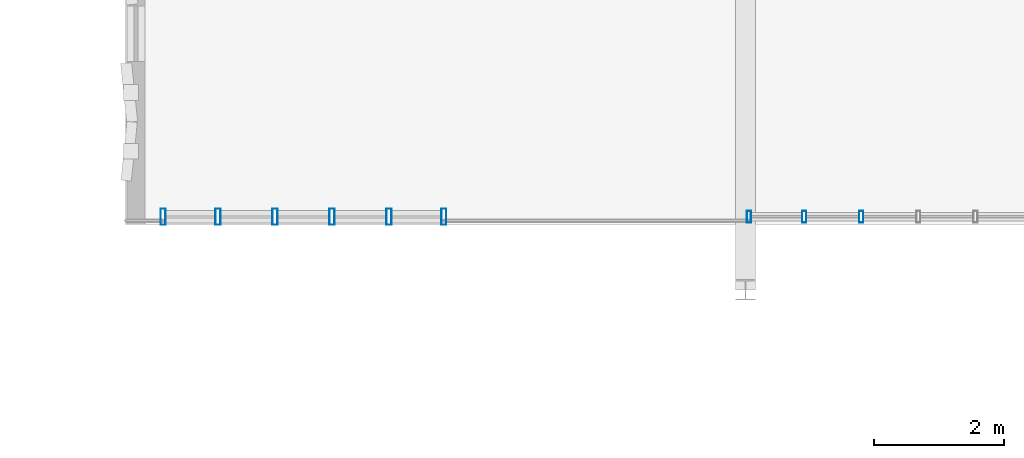
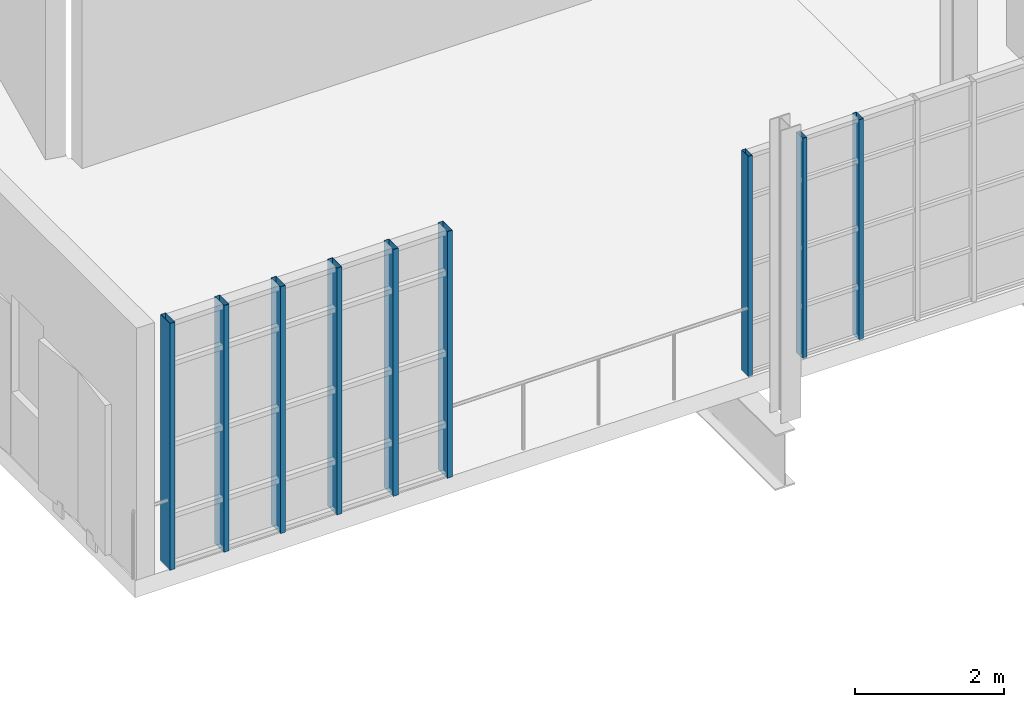
# One storey, part 28 of 118: 9 members, 2 elements without a shape of their own.
"""IFC4 building model written with IfcOpenShell, lengths in metres."""

from ifc_helpers import new_model, si_unit, direction, frame, origin, origin_2d, place, context, subcontext, project, spatial, hollow_rectangle, extrude, material, layer, layer_set, material_profile, profile_set, type_object, element, aggregate, save


model = new_model("IFC4")

# Units and contexts
model_context = context("Model", 3, precision=1e-05, world=origin(), true_north=direction((0.0, 1.0)))
body_context = subcontext(model_context, "Body", "Model", "MODEL_VIEW")
ifc_project = project(units=[si_unit("LENGTHUNIT", "METRE"), si_unit("AREAUNIT", "SQUARE_METRE"), si_unit("VOLUMEUNIT", "CUBIC_METRE"), si_unit("PLANEANGLEUNIT", "RADIAN"), si_unit("MASSUNIT", "GRAM", prefix="KILO"), si_unit("THERMODYNAMICTEMPERATUREUNIT", "KELVIN"), si_unit("POWERUNIT", "WATT")], contexts=[model_context])

# Site, building, storey
site_placement = place(None, origin())
site = spatial("IfcSite", under=ifc_project, at=site_placement, CompositionType="ELEMENT")
building_placement = place(site_placement, origin())
building = spatial("IfcBuilding", under=site, at=building_placement, Name="Zelmaris Science Centre", CompositionType="ELEMENT")
storey_placement = place(building_placement, frame((0.0, 0.0, 15.60009765625)))
storey = spatial("IfcBuildingStorey", under=building, at=storey_placement, Name="L03", CompositionType="ELEMENT", Elevation=15.60009765625)

# Curtain wall, members
ifc_material = material(Name="Anodised architectural aluminium 6063-T6", Category="aluminium")
ifc_layer_1 = layer(ifc_material, 0.2099609375, Name="Anodised architectural aluminium 6063-T6")
ifc_layer_set_1 = layer_set([ifc_layer_1], Name="Anodised architectural aluminium 6063-T6")
curtain_wall_type_1 = type_object("IfcCurtainWallType", Name="Curtain Wall CW-03", PredefinedType="USERDEFINED", material=ifc_layer_set_1)
curtain_wall_1_placement = place(storey_placement, origin())
curtain_wall_1 = element("IfcCurtainWall", 1, at=curtain_wall_1_placement, inside=storey, type_object=curtain_wall_type_1, Name="L03 Unitised curtain wall 311", ObjectType="GLAZED CURTAIN WALL", PredefinedType="USERDEFINED")
ifc_material_profile_1 = material_profile(ifc_material, hollow_rectangle(XDim=0.06494140625, YDim=0.179931640625, WallThickness=0.00390625, at=origin_2d()), Name="ALU-MUL-65X180")
ifc_profile_set_1 = profile_set([ifc_material_profile_1], Name="Anodised architectural aluminium 6063-T6")
member_type_1 = type_object("IfcMemberType", Name="ALU-MUL-65X180", PredefinedType="MULLION", material=ifc_profile_set_1)
member_1_placement = place(storey_placement, frame((104.776123046875, 21.1201171875, -0.01513671875), z_axis=(0.0, 0.0, 1.0), x_axis=(-0.999999999986, 5.235988e-06, 0.0)))
member_1 = element("IfcMember", 2, at=member_1_placement, type_object=member_type_1, Name="CW-03 mullion 4", PredefinedType="MULLION", context=body_context, shape_type="SweptSolid", body=[
    extrude(hollow_rectangle(XDim=0.06494140625, YDim=0.179931640625, WallThickness=0.00390625, at=origin_2d()), origin(), (0.0, 0.0, 1.0), 3.615966796875),
])
member_2_placement = place(storey_placement, frame((103.9013671875, 21.1201171875, -0.01513671875), z_axis=(0.0, 0.0, 1.0), x_axis=(-0.999999999986, 5.235988e-06, 0.0)))
member_2 = element("IfcMember", 3, at=member_2_placement, type_object=member_type_1, Name="CW-03 mullion 5", PredefinedType="MULLION", context=body_context, shape_type="SweptSolid", body=[
    extrude(hollow_rectangle(XDim=0.06494140625, YDim=0.179931640625, WallThickness=0.00390625, at=origin_2d()), origin(), (0.0, 0.0, 1.0), 3.615966796875),
])
member_3_placement = place(storey_placement, frame((103.05517578125, 21.1201171875, -0.01513671875), z_axis=(0.0, 0.0, 1.0), x_axis=(-0.999999999986, 5.235988e-06, 0.0)))
member_3 = element("IfcMember", 4, at=member_3_placement, type_object=member_type_1, Name="CW-03 mullion 6", PredefinedType="MULLION", context=body_context, shape_type="SweptSolid", body=[
    extrude(hollow_rectangle(XDim=0.06494140625, YDim=0.179931640625, WallThickness=0.00390625, at=origin_2d()), origin(), (0.0, 0.0, 1.0), 3.615966796875),
])
aggregate(curtain_wall_1, [member_1, member_2, member_3])

ifc_layer_2 = layer(ifc_material, 0.18994140625, Name="Anodised architectural aluminium 6063-T6")
ifc_layer_set_2 = layer_set([ifc_layer_2], Name="Anodised architectural aluminium 6063-T6")
curtain_wall_type_2 = type_object("IfcCurtainWallType", Name="Curtain Wall CW-01", PredefinedType="USERDEFINED", material=ifc_layer_set_2)
curtain_wall_2_placement = place(storey_placement, origin())
curtain_wall_2 = element("IfcCurtainWall", 5, at=curtain_wall_2_placement, inside=storey, type_object=curtain_wall_type_2, Name="L03 Unitised curtain wall 313", ObjectType="GLAZED CURTAIN WALL", PredefinedType="USERDEFINED")
ifc_material_profile_2 = material_profile(ifc_material, hollow_rectangle(XDim=0.080078125, YDim=0.25, WallThickness=0.0048828125, at=origin_2d()), Name="ALU-MUL-80X250")
ifc_profile_set_2 = profile_set([ifc_material_profile_2], Name="Anodised architectural aluminium 6063-T6")
member_type_2 = type_object("IfcMemberType", Name="ALU-MUL-80X250", PredefinedType="MULLION", material=ifc_profile_set_2)
member_4_placement = place(storey_placement, frame((98.37744140625, 21.1201171875, -0.01513671875), z_axis=(0.0, 0.0, 1.0), x_axis=(-0.999999999986, 5.235988e-06, 0.0)))
member_4 = element("IfcMember", 6, at=member_4_placement, type_object=member_type_2, Name="CW-01 mullion 1", PredefinedType="MULLION", context=body_context, shape_type="SweptSolid", body=[
    extrude(hollow_rectangle(XDim=0.080078125, YDim=0.25, WallThickness=0.0048828125, at=origin_2d()), origin(), (0.0, 0.0, 1.0), 4.044921875),
])
member_5_placement = place(storey_placement, frame((97.538818359375, 21.1201171875, -0.01513671875), z_axis=(0.0, 0.0, 1.0), x_axis=(-0.999999999986, 5.235988e-06, 0.0)))
member_5 = element("IfcMember", 7, at=member_5_placement, type_object=member_type_2, Name="CW-01 mullion 2", PredefinedType="MULLION", context=body_context, shape_type="SweptSolid", body=[
    extrude(hollow_rectangle(XDim=0.080078125, YDim=0.25, WallThickness=0.0048828125, at=origin_2d()), origin(), (0.0, 0.0, 1.0), 4.044921875),
])
member_6_placement = place(storey_placement, frame((96.6640625, 21.1201171875, -0.01513671875), z_axis=(0.0, 0.0, 1.0), x_axis=(-0.999999999986, 5.235988e-06, 0.0)))
member_6 = element("IfcMember", 8, at=member_6_placement, type_object=member_type_2, Name="CW-01 mullion 3", PredefinedType="MULLION", context=body_context, shape_type="SweptSolid", body=[
    extrude(hollow_rectangle(XDim=0.080078125, YDim=0.25, WallThickness=0.0048828125, at=origin_2d()), origin(), (0.0, 0.0, 1.0), 4.044921875),
])
member_7_placement = place(storey_placement, frame((95.789306640625, 21.1201171875, -0.01513671875), z_axis=(0.0, 0.0, 1.0), x_axis=(-0.999999999986, 5.235988e-06, 0.0)))
member_7 = element("IfcMember", 9, at=member_7_placement, type_object=member_type_2, Name="CW-01 mullion 4", PredefinedType="MULLION", context=body_context, shape_type="SweptSolid", body=[
    extrude(hollow_rectangle(XDim=0.080078125, YDim=0.25, WallThickness=0.0048828125, at=origin_2d()), origin(), (0.0, 0.0, 1.0), 4.044921875),
])
member_8_placement = place(storey_placement, frame((94.914794921875, 21.1201171875, -0.01513671875), z_axis=(0.0, 0.0, 1.0), x_axis=(-0.999999999986, 5.235988e-06, 0.0)))
member_8 = element("IfcMember", 10, at=member_8_placement, type_object=member_type_2, Name="CW-01 mullion 5", PredefinedType="MULLION", context=body_context, shape_type="SweptSolid", body=[
    extrude(hollow_rectangle(XDim=0.080078125, YDim=0.25, WallThickness=0.0048828125, at=origin_2d()), origin(), (0.0, 0.0, 1.0), 4.044921875),
])
member_9_placement = place(storey_placement, frame((94.076171875, 21.1201171875, -0.01513671875), z_axis=(0.0, 0.0, 1.0), x_axis=(-0.999999999986, 5.235988e-06, 0.0)))
member_9 = element("IfcMember", 11, at=member_9_placement, type_object=member_type_2, Name="CW-01 mullion 6", PredefinedType="MULLION", context=body_context, shape_type="SweptSolid", body=[
    extrude(hollow_rectangle(XDim=0.080078125, YDim=0.25, WallThickness=0.0048828125, at=origin_2d()), origin(), (0.0, 0.0, 1.0), 4.044921875),
])
aggregate(curtain_wall_2, [member_4, member_5, member_6, member_7, member_8, member_9])

save(model, "model.ifc")
